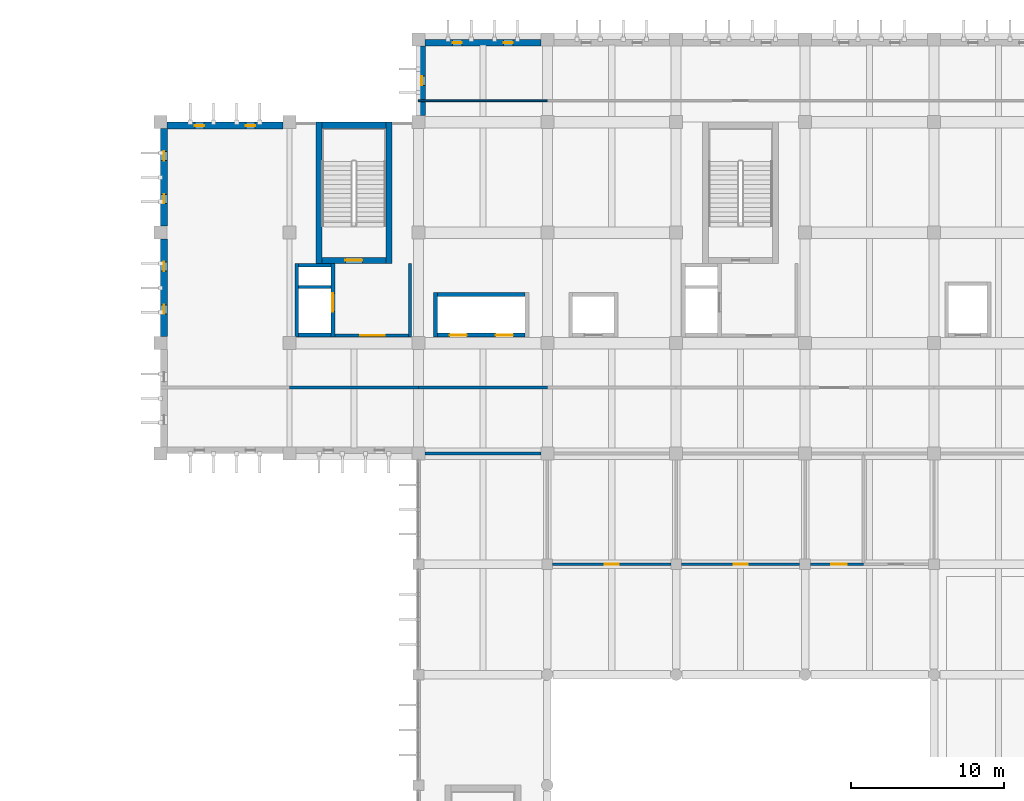
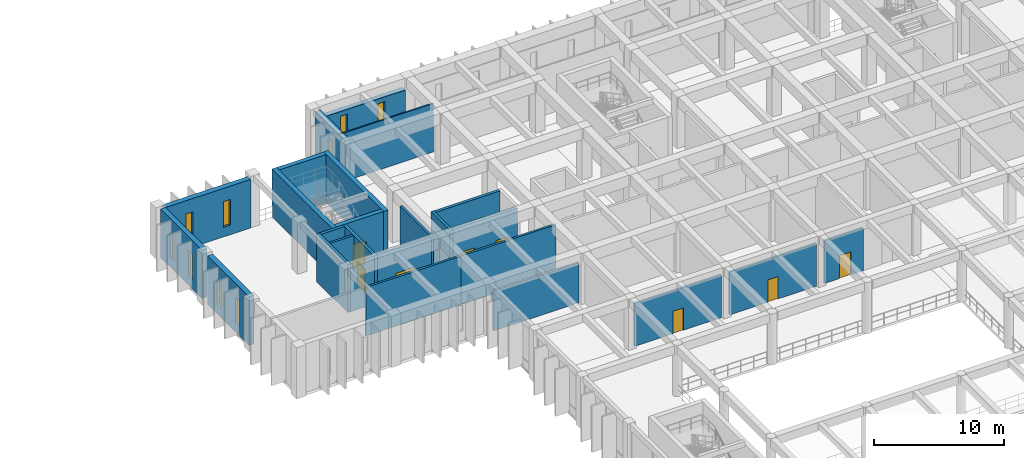
# One storey, part 34 of 51: 26 walls, 9 windows, 8 doors, 17 openings.
"""IFC4 building model written with IfcOpenShell, lengths in metres."""

from ifc_helpers import new_model, si_unit, direction, frame, frame_2d, origin, place, context, subcontext, project, spatial, rectangle, extrude, material, layer, layer_set, type_object, element, fill, save


model = new_model("IFC4")

# Units and contexts
model_context = context("Model", 3, precision=1e-05, world=origin(), true_north=direction((0.0, 1.0)))
body_context = subcontext(model_context, "Body", "Model", "MODEL_VIEW")
ifc_project = project(units=[si_unit("LENGTHUNIT", "METRE"), si_unit("AREAUNIT", "SQUARE_METRE"), si_unit("VOLUMEUNIT", "CUBIC_METRE"), si_unit("PLANEANGLEUNIT", "RADIAN"), si_unit("MASSUNIT", "GRAM", prefix="KILO")], contexts=[model_context])

# Site, building, storey
site_placement = place(None, origin())
site = spatial("IfcSite", under=ifc_project, at=site_placement, CompositionType="ELEMENT")
building_placement = place(site_placement, origin())
building = spatial("IfcBuilding", under=site, at=building_placement, Name="Kenerak Square Central Library", CompositionType="ELEMENT")
storey_placement = place(building_placement, frame((0.0, 0.0, 9.60009765625)))
storey = spatial("IfcBuildingStorey", under=building, at=storey_placement, Name="L02", CompositionType="ELEMENT", Elevation=9.60009765625)

# Walls
ifc_material_1 = material(Name="Concrete C40/50", Category="concrete")
ifc_layer_1 = layer(ifc_material_1, 0.39990234375)
ifc_layer_set_1 = layer_set([ifc_layer_1], Name="Concrete C40/50")
wall_type_1 = type_object("IfcWallType", Name="Core Shear Wall CW-400 C40/50", PredefinedType="SHEAR", material=ifc_layer_set_1)
for number, where, z_axis, x_axis, name in (
    (1, (60.320068359375, 101.199951171875, 0.0), (0.0, 0.0, 1.0), (0.0, 1.0, 0.0), "Core Wall CW-C1 L02 West"),
    (2, (64.8798828125, 110.39990234375, 0.0), (0.0, 0.0, 1.0), (0.0, -1.0, 0.0), "Core Wall CW-C1 L02 East"),
):
    element("IfcWall", number, at=place(storey_placement, frame(where, z_axis=z_axis, x_axis=x_axis)), inside=storey, type_object=wall_type_1, Name=name, PredefinedType="SHEAR", context=body_context, shape_type="SweptSolid", body=[
        extrude(rectangle(XDim=9.199951171875, YDim=0.39990234375, at=frame_2d((4.60009765625, 0.0))), origin(), (0.0, 0.0, 1.0), 4.5),
    ])

# Wall, opening, door
wall_1_placement = place(storey_placement, frame((64.679931640625, 101.39990234375, 0.0), z_axis=(0.0, 0.0, 1.0), x_axis=(-1.0, 0.0, 0.0)))
wall_1 = element("IfcWall", 3, at=wall_1_placement, inside=storey, type_object=wall_type_1, Name="Core Wall CW-C1 L02 South", PredefinedType="SHEAR", context=body_context, shape_type="SweptSolid", body=[
    extrude(rectangle(XDim=4.159912109375, YDim=0.39990234375, at=frame_2d((2.080078125, 0.0))), origin(), (0.0, 0.0, 1.0), 4.5),
])
opening_1_placement = place(wall_1_placement, frame((1.530029296875, 0.0, 0.0)))
opening_1 = element("IfcOpeningElement", 4, at=opening_1_placement, cuts=wall_1, Name="Opening D-ST1", PredefinedType="OPENING", context=body_context, shape_type="SweptSolid", body=[
    extrude(rectangle(XDim=1.10009765625, YDim=2.199951171875, at=frame_2d((0.550048828125, 1.10009765625))), frame((0.0, 0.2099609375, 0.0), z_axis=(0.0, -1.0, 0.0), x_axis=(1.0, 0.0, 0.0)), (0.0, 0.0, 1.0), 0.419921875),
])
ifc_material_2 = material(Name="Steel S355", Category="steel")
door_type_1 = type_object("IfcDoorType", Name="Protected Stair Fire Door FD-1100x2200 FD60S", OperationType="NOTDEFINED", PredefinedType="DOOR", material=ifc_material_2)
door_1_placement = place(opening_1_placement, frame((1.10009765625, 0.0, 0.0), z_axis=(0.0, 0.0, 1.0), x_axis=(-1.0, 0.0, 0.0)))
door_1 = element("IfcDoor", 5, at=door_1_placement, inside=storey, type_object=door_type_1, Name="Stair Door ST-01 L02", OperationType="SINGLE_SWING_LEFT", OverallHeight=2.199951171875, OverallWidth=1.10009765625, PredefinedType="DOOR", context=body_context, shape_type="SweptSolid", body=[
    extrude(rectangle(XDim=1.10009765625, YDim=2.199951171875, at=frame_2d((0.550048828125, 1.10009765625))), frame((0.0, 0.02490234375, 0.0), z_axis=(0.0, -1.0, 0.0), x_axis=(1.0, 0.0, 0.0)), (0.0, 0.0, 1.0), 0.050048828125),
])
fill(opening_1, door_1)

# Walls
wall_2_placement = place(storey_placement, frame((60.52001953125, 110.199951171875, 0.0), z_axis=(0.0, 0.0, 1.0), x_axis=(1.0, 0.0, 0.0)))
element("IfcWall", 6, at=wall_2_placement, inside=storey, type_object=wall_type_1, Name="Core Wall CW-C1 L02 North", PredefinedType="SHEAR", context=body_context, shape_type="SweptSolid", body=[
    extrude(rectangle(XDim=4.159912109375, YDim=0.39990234375, at=frame_2d((2.080078125, 0.0))), origin(), (0.0, 0.0, 1.0), 4.5),
])
ifc_material_3 = material(Name="Acoustic gypsum plasterboard on steel studs", Category="steel")
ifc_layer_2 = layer(ifc_material_3, 0.1201171875)
ifc_layer_set_2 = layer_set([ifc_layer_2], Name="Acoustic gypsum plasterboard on steel studs")
wall_type_2 = type_object("IfcWallType", Name="Lightweight Drywall Partition IW-120", PredefinedType="PARTITIONING", material=ifc_layer_set_2)
wall_3_placement = place(storey_placement, frame((75.199951171875, 111.800048828125, 0.0), z_axis=(0.0, 0.0, 1.0), x_axis=(-1.0, 0.0, 0.0)))
element("IfcWall", 7, at=wall_3_placement, inside=storey, type_object=wall_type_2, Name="Interior Wall IW-L02-07-S1-B5", PredefinedType="PARTITIONING", context=body_context, shape_type="SweptSolid", body=[
    extrude(rectangle(XDim=8.39990234375, YDim=0.1201171875, at=frame_2d((4.199951171875, 0.0))), origin(), (0.0, 0.0, 1.0), 4.5498046875),
])
ifc_layer_3 = layer(ifc_material_1, 0.199951171875)
ifc_layer_set_3 = layer_set([ifc_layer_3], Name="Concrete C40/50")
wall_type_3 = type_object("IfcWallType", Name="Lobby Compartment Wall LW-200 C40/50", PredefinedType="SOLIDWALL", material=ifc_layer_set_3)
wall_4_placement = place(storey_placement, frame((59.0, 99.64990234375, 0.0), z_axis=(0.0, 0.0, 1.0), x_axis=(1.0, 0.0, 0.0)))
element("IfcWall", 8, at=wall_4_placement, inside=storey, type_object=wall_type_3, Name="Riser Divider Wall C1 L02", PredefinedType="SOLIDWALL", context=body_context, shape_type="SweptSolid", body=[
    extrude(rectangle(XDim=2.10009765625, YDim=0.199951171875, at=frame_2d((1.050048828125, 0.0))), origin(), (0.0, 0.0, 1.0), 4.5),
])
wall_5_placement = place(storey_placement, frame((66.25, 101.199951171875, 0.0), z_axis=(0.0, 0.0, 1.0), x_axis=(0.0, -1.0, 0.0)))
element("IfcWall", 9, at=wall_5_placement, inside=storey, type_object=wall_type_3, Name="Firefighting Lobby East Wall C1 L02", PredefinedType="SOLIDWALL", context=body_context, shape_type="SweptSolid", body=[
    extrude(rectangle(XDim=4.800048828125, YDim=0.199951171875, at=frame_2d((2.39990234375, 0.0))), origin(), (0.0, 0.0, 1.0), 4.5),
])

# Wall, opening, door
wall_6_placement = place(storey_placement, frame((66.14990234375, 96.5, 0.0), z_axis=(0.0, 0.0, 1.0), x_axis=(-1.0, 0.0, 0.0)))
wall_6 = element("IfcWall", 10, at=wall_6_placement, inside=storey, type_object=wall_type_3, Name="Firefighting Lobby South Wall C1 L02", PredefinedType="SOLIDWALL", context=body_context, shape_type="SweptSolid", body=[
    extrude(rectangle(XDim=4.7998046875, YDim=0.199951171875, at=frame_2d((2.39990234375, 0.0))), origin(), (0.0, 0.0, 1.0), 4.5),
])
opening_2_placement = place(wall_6_placement, frame((1.550048828125, 0.0, 0.0)))
opening_2 = element("IfcOpeningElement", 11, at=opening_2_placement, cuts=wall_6, Name="Opening D-FFL", PredefinedType="OPENING", context=body_context, shape_type="SweptSolid", body=[
    extrude(rectangle(XDim=1.60009765625, YDim=2.199951171875, at=frame_2d((0.800048828125, 1.10009765625))), frame((0.0, 0.10986328125, 0.0), z_axis=(0.0, -1.0, 0.0), x_axis=(1.0, 0.0, 0.0)), (0.0, 0.0, 1.0), 0.219970703125),
])
door_type_2 = type_object("IfcDoorType", Name="Firefighting Lobby Double Door FD-1600x2200 FD60S", OperationType="NOTDEFINED", PredefinedType="DOOR", material=ifc_material_2)
door_2_placement = place(opening_2_placement, frame((1.60009765625, 0.0, 0.0), z_axis=(0.0, 0.0, 1.0), x_axis=(-1.0, 0.0, 0.0)))
door_2 = element("IfcDoor", 12, at=door_2_placement, inside=storey, type_object=door_type_2, Name="Firefighting Lobby Door C1 L02", OperationType="DOUBLE_DOOR_SINGLE_SWING", OverallHeight=2.199951171875, OverallWidth=1.60009765625, PredefinedType="DOOR", context=body_context, shape_type="SweptSolid", body=[
    extrude(rectangle(XDim=1.60009765625, YDim=2.199951171875, at=frame_2d((0.800048828125, 1.10009765625))), frame((0.0, 0.02490234375, 0.0), z_axis=(0.0, -1.0, 0.0), x_axis=(1.0, 0.0, 0.0)), (0.0, 0.0, 1.0), 0.050048828125),
])
fill(opening_2, door_2)

# Walls
ifc_material_4 = material(Name="Precast concrete C40/50", Category="concrete")
ifc_layer_4 = layer(ifc_material_4, 0.199951171875)
ifc_layer_set_4 = layer_set([ifc_layer_4], Name="Precast concrete C40/50")
wall_type_4 = type_object("IfcWallType", Name="Protected Corridor Fire Wall IW-200 C40/50", PredefinedType="PARTITIONING", material=ifc_layer_set_4)
wall_7_placement = place(storey_placement, frame((58.39990234375, 93.10009765625, 0.0), z_axis=(0.0, 0.0, 1.0), x_axis=(1.0, 0.0, 0.0)))
element("IfcWall", 13, at=wall_7_placement, inside=storey, type_object=wall_type_4, Name="Interior Wall IW-L02-06-N2-B2", PredefinedType="PARTITIONING", context=body_context, shape_type="SweptSolid", body=[
    extrude(rectangle(XDim=8.400146484375, YDim=0.199951171875, at=frame_2d((4.2001953125, 0.0))), origin(), (0.0, 0.0, 1.0), 4.5498046875),
])
wall_8_placement = place(storey_placement, frame((66.800048828125, 93.10009765625, 0.0), z_axis=(0.0, 0.0, 1.0), x_axis=(1.0, 0.0, 0.0)))
element("IfcWall", 14, at=wall_8_placement, inside=storey, type_object=wall_type_4, Name="Interior Wall IW-L02-06-N2-B3", PredefinedType="PARTITIONING", context=body_context, shape_type="SweptSolid", body=[
    extrude(rectangle(XDim=8.39990234375, YDim=0.199951171875, at=frame_2d((4.199951171875, 0.0))), origin(), (0.0, 0.0, 1.0), 4.5498046875),
])
wall_9_placement = place(storey_placement, frame((74.77490234375, 88.800048828125, 0.0), z_axis=(0.0, 0.0, 1.0), x_axis=(-1.0, 0.0, 0.0)))
element("IfcWall", 15, at=wall_9_placement, inside=storey, type_object=wall_type_4, Name="Interior Wall IW-L02-06-S1-B9", PredefinedType="PARTITIONING", context=body_context, shape_type="SweptSolid", body=[
    extrude(rectangle(XDim=7.5498046875, YDim=0.199951171875, at=frame_2d((3.77490234375, 0.0))), origin(), (0.0, 0.0, 1.0), 3.75),
])

# Wall, openings, windows
ifc_layer_5 = layer(ifc_material_1, 0.449951171875)
ifc_layer_set_5 = layer_set([ifc_layer_5], Name="Concrete C40/50")
wall_type_5 = type_object("IfcWallType", Name="Rare-Books Vault Exterior Wall VW-450 C40/50", PredefinedType="SOLIDWALL", material=ifc_layer_set_5)
wall_10_placement = place(storey_placement, frame((50.22509765625, 96.425048828125, 0.0), z_axis=(0.0, 0.0, 1.0), x_axis=(0.0, 1.0, 0.0)))
wall_10 = element("IfcWall", 16, at=wall_10_placement, inside=storey, type_object=wall_type_5, Name="Exterior Facade Wall L02 0172", PredefinedType="SOLIDWALL", context=body_context, shape_type="SweptSolid", body=[
    extrude(rectangle(XDim=6.349853515625, YDim=0.449951171875, at=frame_2d((3.1748046875, 0.0))), origin(), (0.0, 0.0, 1.0), 4.5498046875),
])
opening_3_placement = place(wall_10_placement, frame((1.47802734375, 0.0, 0.89990234375)))
opening_3 = element("IfcOpeningElement", 17, at=opening_3_placement, cuts=wall_10, Name="Opening W-01", PredefinedType="OPENING", context=body_context, shape_type="SweptSolid", body=[
    extrude(rectangle(XDim=0.60009765625, YDim=2.39990234375, at=frame_2d((0.300048828125, 1.199951171875))), frame((0.0, 0.23486328125, 0.0), z_axis=(0.0, -1.0, 0.0), x_axis=(1.0, 0.0, 0.0)), (0.0, 0.0, 1.0), 0.469970703125),
])
opening_4_placement = place(wall_10_placement, frame((4.27197265625, 0.0, 0.89990234375)))
opening_4 = element("IfcOpeningElement", 18, at=opening_4_placement, cuts=wall_10, Name="Opening W-01", PredefinedType="OPENING", context=body_context, shape_type="SweptSolid", body=[
    extrude(rectangle(XDim=0.60009765625, YDim=2.39990234375, at=frame_2d((0.300048828125, 1.199951171875))), frame((0.0, 0.23486328125, 0.0), z_axis=(0.0, -1.0, 0.0), x_axis=(1.0, 0.0, 0.0)), (0.0, 0.0, 1.0), 0.469970703125),
])
ifc_material_5 = material(Name="Solar-control low-E laminated double glazing", Category="glass")
window_type = type_object("IfcWindowType", Name="UV-Filtered Stack Slot Window W-01 600x2400", PartitioningType="SINGLE_PANEL", PredefinedType="WINDOW", material=ifc_material_5)
window_1_placement = place(opening_3_placement, origin())
window_1 = element("IfcWindow", 19, at=window_1_placement, inside=storey, type_object=window_type, Name="Window W-01 L02 0164", OverallHeight=2.39990234375, OverallWidth=0.60009765625, PartitioningType="SINGLE_PANEL", PredefinedType="WINDOW", context=body_context, shape_type="SweptSolid", body=[
    extrude(rectangle(XDim=0.60009765625, YDim=2.39990234375, at=frame_2d((0.300048828125, 1.199951171875))), frame((0.0, 0.030029296875, 0.0), z_axis=(0.0, -1.0, 0.0), x_axis=(1.0, 0.0, 0.0)), (0.0, 0.0, 1.0), 0.06005859375),
])
fill(opening_3, window_1)
window_2_placement = place(opening_4_placement, origin())
window_2 = element("IfcWindow", 20, at=window_2_placement, inside=storey, type_object=window_type, Name="Window W-01 L02 0165", OverallHeight=2.39990234375, OverallWidth=0.60009765625, PartitioningType="SINGLE_PANEL", PredefinedType="WINDOW", context=body_context, shape_type="SweptSolid", body=[
    extrude(rectangle(XDim=0.60009765625, YDim=2.39990234375, at=frame_2d((0.300048828125, 1.199951171875))), frame((0.0, 0.030029296875, 0.0), z_axis=(0.0, -1.0, 0.0), x_axis=(1.0, 0.0, 0.0)), (0.0, 0.0, 1.0), 0.06005859375),
])
fill(opening_4, window_2)

wall_11_placement = place(storey_placement, frame((50.22509765625, 103.625, 0.0), z_axis=(0.0, 0.0, 1.0), x_axis=(0.0, 1.0, 0.0)))
wall_11 = element("IfcWall", 21, at=wall_11_placement, inside=storey, type_object=wall_type_5, Name="Exterior Facade Wall L02 0173", PredefinedType="SOLIDWALL", context=body_context, shape_type="SweptSolid", body=[
    extrude(rectangle(XDim=6.35009765625, YDim=0.449951171875, at=frame_2d((3.175048828125, 0.0))), origin(), (0.0, 0.0, 1.0), 4.5498046875),
])
opening_5_placement = place(wall_11_placement, frame((1.47802734375, 0.0, 0.89990234375)))
opening_5 = element("IfcOpeningElement", 22, at=opening_5_placement, cuts=wall_11, Name="Opening W-01", PredefinedType="OPENING", context=body_context, shape_type="SweptSolid", body=[
    extrude(rectangle(XDim=0.60009765625, YDim=2.39990234375, at=frame_2d((0.300048828125, 1.199951171875))), frame((0.0, 0.23486328125, 0.0), z_axis=(0.0, -1.0, 0.0), x_axis=(1.0, 0.0, 0.0)), (0.0, 0.0, 1.0), 0.469970703125),
])
opening_6_placement = place(wall_11_placement, frame((4.27197265625, 0.0, 0.89990234375)))
opening_6 = element("IfcOpeningElement", 23, at=opening_6_placement, cuts=wall_11, Name="Opening W-01", PredefinedType="OPENING", context=body_context, shape_type="SweptSolid", body=[
    extrude(rectangle(XDim=0.60009765625, YDim=2.39990234375, at=frame_2d((0.300048828125, 1.199951171875))), frame((0.0, 0.23486328125, 0.0), z_axis=(0.0, -1.0, 0.0), x_axis=(1.0, 0.0, 0.0)), (0.0, 0.0, 1.0), 0.469970703125),
])
window_3_placement = place(opening_5_placement, origin())
window_3 = element("IfcWindow", 24, at=window_3_placement, inside=storey, type_object=window_type, Name="Window W-01 L02 0166", OverallHeight=2.39990234375, OverallWidth=0.60009765625, PartitioningType="SINGLE_PANEL", PredefinedType="WINDOW", context=body_context, shape_type="SweptSolid", body=[
    extrude(rectangle(XDim=0.60009765625, YDim=2.39990234375, at=frame_2d((0.300048828125, 1.199951171875))), frame((0.0, 0.030029296875, 0.0), z_axis=(0.0, -1.0, 0.0), x_axis=(1.0, 0.0, 0.0)), (0.0, 0.0, 1.0), 0.06005859375),
])
fill(opening_5, window_3)
window_4_placement = place(opening_6_placement, origin())
window_4 = element("IfcWindow", 25, at=window_4_placement, inside=storey, type_object=window_type, Name="Window W-01 L02 0167", OverallHeight=2.39990234375, OverallWidth=0.60009765625, PartitioningType="SINGLE_PANEL", PredefinedType="WINDOW", context=body_context, shape_type="SweptSolid", body=[
    extrude(rectangle(XDim=0.60009765625, YDim=2.39990234375, at=frame_2d((0.300048828125, 1.199951171875))), frame((0.0, 0.030029296875, 0.0), z_axis=(0.0, -1.0, 0.0), x_axis=(1.0, 0.0, 0.0)), (0.0, 0.0, 1.0), 0.06005859375),
])
fill(opening_6, window_4)

wall_12_placement = place(storey_placement, frame((50.425048828125, 110.175048828125, 0.0), z_axis=(0.0, 0.0, 1.0), x_axis=(1.0, 0.0, 0.0)))
wall_12 = element("IfcWall", 26, at=wall_12_placement, inside=storey, type_object=wall_type_5, Name="Exterior Facade Wall L02 0174", PredefinedType="SOLIDWALL", context=body_context, shape_type="SweptSolid", body=[
    extrude(rectangle(XDim=7.550048828125, YDim=0.449951171875, at=frame_2d((3.77490234375, 0.0))), origin(), (0.0, 0.0, 1.0), 4.5498046875),
])
opening_7_placement = place(wall_12_placement, frame((1.81396484375, 0.0, 0.89990234375)))
opening_7 = element("IfcOpeningElement", 27, at=opening_7_placement, cuts=wall_12, Name="Opening W-01", PredefinedType="OPENING", context=body_context, shape_type="SweptSolid", body=[
    extrude(rectangle(XDim=0.60009765625, YDim=2.39990234375, at=frame_2d((0.300048828125, 1.199951171875))), frame((0.0, 0.23486328125, 0.0), z_axis=(0.0, -1.0, 0.0), x_axis=(1.0, 0.0, 0.0)), (0.0, 0.0, 1.0), 0.469970703125),
])
opening_8_placement = place(wall_12_placement, frame((5.135986328125, 0.0, 0.89990234375)))
opening_8 = element("IfcOpeningElement", 28, at=opening_8_placement, cuts=wall_12, Name="Opening W-01", PredefinedType="OPENING", context=body_context, shape_type="SweptSolid", body=[
    extrude(rectangle(XDim=0.60009765625, YDim=2.39990234375, at=frame_2d((0.300048828125, 1.199951171875))), frame((0.0, 0.23486328125, 0.0), z_axis=(0.0, -1.0, 0.0), x_axis=(1.0, 0.0, 0.0)), (0.0, 0.0, 1.0), 0.469970703125),
])
window_5_placement = place(opening_7_placement, origin())
window_5 = element("IfcWindow", 29, at=window_5_placement, inside=storey, type_object=window_type, Name="Window W-01 L02 0168", OverallHeight=2.39990234375, OverallWidth=0.60009765625, PartitioningType="SINGLE_PANEL", PredefinedType="WINDOW", context=body_context, shape_type="SweptSolid", body=[
    extrude(rectangle(XDim=0.60009765625, YDim=2.39990234375, at=frame_2d((0.300048828125, 1.199951171875))), frame((0.0, 0.030029296875, 0.0), z_axis=(0.0, -1.0, 0.0), x_axis=(1.0, 0.0, 0.0)), (0.0, 0.0, 1.0), 0.06005859375),
])
fill(opening_7, window_5)
window_6_placement = place(opening_8_placement, origin())
window_6 = element("IfcWindow", 30, at=window_6_placement, inside=storey, type_object=window_type, Name="Window W-01 L02 0169", OverallHeight=2.39990234375, OverallWidth=0.60009765625, PartitioningType="SINGLE_PANEL", PredefinedType="WINDOW", context=body_context, shape_type="SweptSolid", body=[
    extrude(rectangle(XDim=0.60009765625, YDim=2.39990234375, at=frame_2d((0.300048828125, 1.199951171875))), frame((0.0, 0.030029296875, 0.0), z_axis=(0.0, -1.0, 0.0), x_axis=(1.0, 0.0, 0.0)), (0.0, 0.0, 1.0), 0.06005859375),
])
fill(opening_8, window_6)

# Wall, opening, window
wall_13_placement = place(storey_placement, frame((67.02490234375, 110.824951171875, 0.0), z_axis=(0.0, 0.0, 1.0), x_axis=(0.0, 1.0, 0.0)))
wall_13 = element("IfcWall", 31, at=wall_13_placement, inside=storey, type_object=wall_type_5, Name="Exterior Facade Wall L02 0175", PredefinedType="SOLIDWALL", context=body_context, shape_type="SweptSolid", body=[
    extrude(rectangle(XDim=4.550048828125, YDim=0.449951171875, at=frame_2d((2.27490234375, 0.0))), origin(), (0.0, 0.0, 1.0), 4.5498046875),
])
opening_9_placement = place(wall_13_placement, frame((1.97509765625, 0.0, 0.89990234375)))
opening_9 = element("IfcOpeningElement", 32, at=opening_9_placement, cuts=wall_13, Name="Opening W-01", PredefinedType="OPENING", context=body_context, shape_type="SweptSolid", body=[
    extrude(rectangle(XDim=0.60009765625, YDim=2.39990234375, at=frame_2d((0.300048828125, 1.199951171875))), frame((0.0, 0.23486328125, 0.0), z_axis=(0.0, -1.0, 0.0), x_axis=(1.0, 0.0, 0.0)), (0.0, 0.0, 1.0), 0.469970703125),
])
window_7_placement = place(opening_9_placement, origin())
window_7 = element("IfcWindow", 33, at=window_7_placement, inside=storey, type_object=window_type, Name="Window W-01 L02 0170", OverallHeight=2.39990234375, OverallWidth=0.60009765625, PartitioningType="SINGLE_PANEL", PredefinedType="WINDOW", context=body_context, shape_type="SweptSolid", body=[
    extrude(rectangle(XDim=0.60009765625, YDim=2.39990234375, at=frame_2d((0.300048828125, 1.199951171875))), frame((0.0, 0.030029296875, 0.0), z_axis=(0.0, -1.0, 0.0), x_axis=(1.0, 0.0, 0.0)), (0.0, 0.0, 1.0), 0.06005859375),
])
fill(opening_9, window_7)

# Wall, openings, windows
wall_14_placement = place(storey_placement, frame((67.22509765625, 115.574951171875, 0.0), z_axis=(0.0, 0.0, 1.0), x_axis=(1.0, 0.0, 0.0)))
wall_14 = element("IfcWall", 34, at=wall_14_placement, inside=storey, type_object=wall_type_5, Name="Exterior Facade Wall L02 0176", PredefinedType="SOLIDWALL", context=body_context, shape_type="SweptSolid", body=[
    extrude(rectangle(XDim=7.5498046875, YDim=0.449951171875, at=frame_2d((3.77490234375, 0.0))), origin(), (0.0, 0.0, 1.0), 3.75),
])
opening_10_placement = place(wall_14_placement, frame((1.81396484375, 0.0, 0.89990234375)))
opening_10 = element("IfcOpeningElement", 35, at=opening_10_placement, cuts=wall_14, Name="Opening W-01", PredefinedType="OPENING", context=body_context, shape_type="SweptSolid", body=[
    extrude(rectangle(XDim=0.60009765625, YDim=2.39990234375, at=frame_2d((0.300048828125, 1.199951171875))), frame((0.0, 0.23486328125, 0.0), z_axis=(0.0, -1.0, 0.0), x_axis=(1.0, 0.0, 0.0)), (0.0, 0.0, 1.0), 0.469970703125),
])
opening_11_placement = place(wall_14_placement, frame((5.135986328125, 0.0, 0.89990234375)))
opening_11 = element("IfcOpeningElement", 36, at=opening_11_placement, cuts=wall_14, Name="Opening W-01", PredefinedType="OPENING", context=body_context, shape_type="SweptSolid", body=[
    extrude(rectangle(XDim=0.60009765625, YDim=2.39990234375, at=frame_2d((0.300048828125, 1.199951171875))), frame((0.0, 0.23486328125, 0.0), z_axis=(0.0, -1.0, 0.0), x_axis=(1.0, 0.0, 0.0)), (0.0, 0.0, 1.0), 0.469970703125),
])
window_8_placement = place(opening_10_placement, origin())
window_8 = element("IfcWindow", 37, at=window_8_placement, inside=storey, type_object=window_type, Name="Window W-01 L02 0171", OverallHeight=2.39990234375, OverallWidth=0.60009765625, PartitioningType="SINGLE_PANEL", PredefinedType="WINDOW", context=body_context, shape_type="SweptSolid", body=[
    extrude(rectangle(XDim=0.60009765625, YDim=2.39990234375, at=frame_2d((0.300048828125, 1.199951171875))), frame((0.0, 0.030029296875, 0.0), z_axis=(0.0, -1.0, 0.0), x_axis=(1.0, 0.0, 0.0)), (0.0, 0.0, 1.0), 0.06005859375),
])
fill(opening_10, window_8)
window_9_placement = place(opening_11_placement, origin())
window_9 = element("IfcWindow", 38, at=window_9_placement, inside=storey, type_object=window_type, Name="Window W-01 L02 0172", OverallHeight=2.39990234375, OverallWidth=0.60009765625, PartitioningType="SINGLE_PANEL", PredefinedType="WINDOW", context=body_context, shape_type="SweptSolid", body=[
    extrude(rectangle(XDim=0.60009765625, YDim=2.39990234375, at=frame_2d((0.300048828125, 1.199951171875))), frame((0.0, 0.030029296875, 0.0), z_axis=(0.0, -1.0, 0.0), x_axis=(1.0, 0.0, 0.0)), (0.0, 0.0, 1.0), 0.06005859375),
])
fill(opening_11, window_9)

# Wall, opening, door
ifc_layer_6 = layer(ifc_material_4, 0.175048828125)
ifc_layer_set_6 = layer_set([ifc_layer_6], Name="Precast concrete C40/50")
wall_type_6 = type_object("IfcWallType", Name="Sanitary Plumbing Chase Wall IW-175 C40/50", PredefinedType="PLUMBINGWALL", material=ifc_layer_set_6)
wall_15_placement = place(storey_placement, frame((83.25, 81.60009765625, 0.0), z_axis=(0.0, 0.0, 1.0), x_axis=(-1.0, 0.0, 0.0)))
wall_15 = element("IfcWall", 39, at=wall_15_placement, inside=storey, type_object=wall_type_6, Name="Interior Wall IW-L02-08-S1-B1", PredefinedType="PLUMBINGWALL", context=body_context, shape_type="SweptSolid", body=[
    extrude(rectangle(XDim=7.699951171875, YDim=0.175048828125, at=frame_2d((3.85009765625, 0.0))), origin(), (0.0, 0.0, 1.0), 4.0),
])
opening_12_placement = place(wall_15_placement, frame((3.39990234375, 0.0, 0.0)))
opening_12 = element("IfcOpeningElement", 40, at=opening_12_placement, cuts=wall_15, Name="Opening ID-01", PredefinedType="OPENING", context=body_context, shape_type="SweptSolid", body=[
    extrude(rectangle(XDim=0.89990234375, YDim=2.10009765625, at=frame_2d((0.449951171875, 1.050048828125))), frame((0.0, 0.097412109375, 0.0), z_axis=(0.0, -1.0, 0.0), x_axis=(1.0, 0.0, 0.0)), (0.0, 0.0, 1.0), 0.195068359375),
])
ifc_material_6 = material(Name="Chengal hardwood timber SG1", Category="wood")
door_type_3 = type_object("IfcDoorType", Name="Restroom Single Door ID-900x2100", OperationType="NOTDEFINED", PredefinedType="DOOR", material=ifc_material_6)
door_3_placement = place(opening_12_placement, origin())
door_3 = element("IfcDoor", 41, at=door_3_placement, inside=storey, type_object=door_type_3, Name="Level 02 Male Restroom Door", OperationType="SINGLE_SWING_RIGHT", OverallHeight=2.10009765625, OverallWidth=0.89990234375, PredefinedType="DOOR", context=body_context, shape_type="SweptSolid", body=[
    extrude(rectangle(XDim=0.89990234375, YDim=2.10009765625, at=frame_2d((0.449951171875, 1.050048828125))), frame((0.0, 0.02490234375, 0.0), z_axis=(0.0, -1.0, 0.0), x_axis=(1.0, 0.0, 0.0)), (0.0, 0.0, 1.0), 0.050048828125),
])
fill(opening_12, door_3)

wall_16_placement = place(storey_placement, frame((91.64990234375, 81.60009765625, 0.0), z_axis=(0.0, 0.0, 1.0), x_axis=(-1.0, 0.0, 0.0)))
wall_16 = element("IfcWall", 42, at=wall_16_placement, inside=storey, type_object=wall_type_6, Name="Interior Wall IW-L02-09-S1-B1", PredefinedType="PLUMBINGWALL", context=body_context, shape_type="SweptSolid", body=[
    extrude(rectangle(XDim=7.699951171875, YDim=0.175048828125, at=frame_2d((3.85009765625, 0.0))), origin(), (0.0, 0.0, 1.0), 4.0),
])
opening_13_placement = place(wall_16_placement, frame((3.39990234375, 0.0, 0.0)))
opening_13 = element("IfcOpeningElement", 43, at=opening_13_placement, cuts=wall_16, Name="Opening ID-01", PredefinedType="OPENING", context=body_context, shape_type="SweptSolid", body=[
    extrude(rectangle(XDim=0.89990234375, YDim=2.10009765625, at=frame_2d((0.449951171875, 1.050048828125))), frame((0.0, 0.097412109375, 0.0), z_axis=(0.0, -1.0, 0.0), x_axis=(1.0, 0.0, 0.0)), (0.0, 0.0, 1.0), 0.195068359375),
])
door_4_placement = place(opening_13_placement, origin())
door_4 = element("IfcDoor", 44, at=door_4_placement, inside=storey, type_object=door_type_3, Name="Level 02 Female Restroom Door", OperationType="SINGLE_SWING_LEFT", OverallHeight=2.10009765625, OverallWidth=0.89990234375, PredefinedType="DOOR", context=body_context, shape_type="SweptSolid", body=[
    extrude(rectangle(XDim=0.89990234375, YDim=2.10009765625, at=frame_2d((0.449951171875, 1.050048828125))), frame((0.0, 0.02490234375, 0.0), z_axis=(0.0, -1.0, 0.0), x_axis=(1.0, 0.0, 0.0)), (0.0, 0.0, 1.0), 0.050048828125),
])
fill(opening_13, door_4)

wall_17_placement = place(storey_placement, frame((95.800048828125, 81.60009765625, 0.0), z_axis=(0.0, 0.0, 1.0), x_axis=(-1.0, 0.0, 0.0)))
wall_17 = element("IfcWall", 45, at=wall_17_placement, inside=storey, type_object=wall_type_6, Name="Interior Wall IW-L02-10-S1-B1", PredefinedType="PLUMBINGWALL", context=body_context, shape_type="SweptSolid", body=[
    extrude(rectangle(XDim=3.449951171875, YDim=0.175048828125, at=frame_2d((1.72509765625, 0.0))), origin(), (0.0, 0.0, 1.0), 4.0),
])
opening_14_placement = place(wall_17_placement, frame((1.10009765625, 0.0, 0.0)))
opening_14 = element("IfcOpeningElement", 46, at=opening_14_placement, cuts=wall_17, Name="Opening ID-03", PredefinedType="OPENING", context=body_context, shape_type="SweptSolid", body=[
    extrude(rectangle(XDim=1.0, YDim=2.14990234375, at=frame_2d((0.5, 1.074951171875))), frame((0.0, 0.097412109375, 0.0), z_axis=(0.0, -1.0, 0.0), x_axis=(1.0, 0.0, 0.0)), (0.0, 0.0, 1.0), 0.195068359375),
])
door_type_4 = type_object("IfcDoorType", Name="Accessible OKU WC Door ID-1000x2150", OperationType="NOTDEFINED", PredefinedType="DOOR", material=ifc_material_6)
door_5_placement = place(opening_14_placement, origin())
door_5 = element("IfcDoor", 47, at=door_5_placement, inside=storey, type_object=door_type_4, Name="Level 02 Accessible WC Door", OperationType="SINGLE_SWING_RIGHT", OverallHeight=2.14990234375, OverallWidth=1.0, PredefinedType="DOOR", context=body_context, shape_type="SweptSolid", body=[
    extrude(rectangle(XDim=1.0, YDim=2.14990234375, at=frame_2d((0.5, 1.074951171875))), frame((0.0, 0.02490234375, 0.0), z_axis=(0.0, -1.0, 0.0), x_axis=(1.0, 0.0, 0.0)), (0.0, 0.0, 1.0), 0.050048828125),
])
fill(opening_14, door_5)

# Wall
ifc_layer_7 = layer(ifc_material_1, 0.25)
ifc_layer_set_7 = layer_set([ifc_layer_7], Name="Concrete C40/50")
wall_type_7 = type_object("IfcWallType", Name="Shaft Enclosure Wall SW-250 C40/50", PredefinedType="SOLIDWALL", material=ifc_layer_set_7)
wall_18_placement = place(storey_placement, frame((58.875, 96.39990234375, 0.0), z_axis=(0.0, 0.0, 1.0), x_axis=(0.0, 1.0, 0.0)))
element("IfcWall", 48, at=wall_18_placement, inside=storey, type_object=wall_type_7, Name="Core Wall FLW-C1 L02 West", PredefinedType="SOLIDWALL", context=body_context, shape_type="SweptSolid", body=[
    extrude(rectangle(XDim=4.800048828125, YDim=0.25, at=frame_2d((2.39990234375, 0.0))), origin(), (0.0, 0.0, 1.0), 4.5),
])

# Wall, opening, door
wall_19_placement = place(storey_placement, frame((61.22509765625, 101.199951171875, 0.0), z_axis=(0.0, 0.0, 1.0), x_axis=(0.0, -1.0, 0.0)))
wall_19 = element("IfcWall", 49, at=wall_19_placement, inside=storey, type_object=wall_type_7, Name="Core Wall FLW-C1 L02 East", PredefinedType="SOLIDWALL", context=body_context, shape_type="SweptSolid", body=[
    extrude(rectangle(XDim=4.800048828125, YDim=0.25, at=frame_2d((2.39990234375, 0.0))), origin(), (0.0, 0.0, 1.0), 4.5),
])
opening_15_placement = place(wall_19_placement, frame((1.949951171875, 0.0, 0.0)))
opening_15 = element("IfcOpeningElement", 50, at=opening_15_placement, cuts=wall_19, Name="Opening LD-FL", PredefinedType="OPENING", context=body_context, shape_type="SweptSolid", body=[
    extrude(rectangle(XDim=1.199951171875, YDim=2.199951171875, at=frame_2d((0.60009765625, 1.10009765625))), frame((0.0, 0.135009765625, 0.0), z_axis=(0.0, -1.0, 0.0), x_axis=(1.0, 0.0, 0.0)), (0.0, 0.0, 1.0), 0.27001953125),
])
door_type_5 = type_object("IfcDoorType", Name="Firefighting Lift Sliding Landing Door LD-1200x2200 FD120S", OperationType="NOTDEFINED", PredefinedType="DOOR", material=ifc_material_2)
door_6_placement = place(opening_15_placement, origin())
door_6 = element("IfcDoor", 51, at=door_6_placement, inside=storey, type_object=door_type_5, Name="Firefighting Lift Landing Door FL-01 L02", OperationType="SLIDING_TO_LEFT", OverallHeight=2.199951171875, OverallWidth=1.199951171875, PredefinedType="DOOR", context=body_context, shape_type="SweptSolid", body=[
    extrude(rectangle(XDim=1.199951171875, YDim=2.199951171875, at=frame_2d((0.60009765625, 1.10009765625))), frame((0.0, 0.02490234375, 0.0), z_axis=(0.0, -1.0, 0.0), x_axis=(1.0, 0.0, 0.0)), (0.0, 0.0, 1.0), 0.050048828125),
])
fill(opening_15, door_6)

# Walls
for number, where, z_axis, x_axis, name in (
    (52, (61.10009765625, 96.52490234375, 0.0), (0.0, 0.0, 1.0), (-1.0, 0.0, 0.0), "Core Wall FLW-C1 L02 South"),
    (53, (59.0, 101.074951171875, 0.0), (0.0, 0.0, 1.0), (1.0, 0.0, 0.0), "Core Wall FLW-C1 L02 North"),
):
    element("IfcWall", number, at=place(storey_placement, frame(where, z_axis=z_axis, x_axis=x_axis)), inside=storey, type_object=wall_type_7, Name=name, PredefinedType="SOLIDWALL", context=body_context, shape_type="SweptSolid", body=[
        extrude(rectangle(XDim=2.10009765625, YDim=0.25, at=frame_2d((1.050048828125, 0.0))), origin(), (0.0, 0.0, 1.0), 4.5),
    ])
wall_20_placement = place(storey_placement, frame((67.925048828125, 96.39990234375, 0.0), z_axis=(0.0, 0.0, 1.0), x_axis=(0.0, 1.0, 0.0)))
element("IfcWall", 54, at=wall_20_placement, inside=storey, type_object=wall_type_7, Name="Core Wall PLBANKW L02 West", PredefinedType="SOLIDWALL", context=body_context, shape_type="SweptSolid", body=[
    extrude(rectangle(XDim=2.900146484375, YDim=0.25, at=frame_2d((1.4501953125, 0.0))), origin(), (0.0, 0.0, 1.0), 4.5498046875),
])

# Wall, openings, doors
wall_21_placement = place(storey_placement, frame((73.75, 96.52490234375, 0.0), z_axis=(0.0, 0.0, 1.0), x_axis=(-1.0, 0.0, 0.0)))
wall_21 = element("IfcWall", 55, at=wall_21_placement, inside=storey, type_object=wall_type_7, Name="Core Wall PLBANKW L02 South", PredefinedType="SOLIDWALL", context=body_context, shape_type="SweptSolid", body=[
    extrude(rectangle(XDim=5.699951171875, YDim=0.25, at=frame_2d((2.85009765625, 0.0))), origin(), (0.0, 0.0, 1.0), 4.5498046875),
])
opening_16_placement = place(wall_21_placement, frame((3.800048828125, 0.0, 0.0)))
opening_16 = element("IfcOpeningElement", 56, at=opening_16_placement, cuts=wall_21, Name="Opening LD-PL", PredefinedType="OPENING", context=body_context, shape_type="SweptSolid", body=[
    extrude(rectangle(XDim=1.10009765625, YDim=2.14990234375, at=frame_2d((0.550048828125, 1.074951171875))), frame((0.0, 0.135009765625, 0.0), z_axis=(0.0, -1.0, 0.0), x_axis=(1.0, 0.0, 0.0)), (0.0, 0.0, 1.0), 0.27001953125),
])
opening_17_placement = place(wall_21_placement, frame((0.800048828125, 0.0, 0.0)))
opening_17 = element("IfcOpeningElement", 57, at=opening_17_placement, cuts=wall_21, Name="Opening LD-PL", PredefinedType="OPENING", context=body_context, shape_type="SweptSolid", body=[
    extrude(rectangle(XDim=1.10009765625, YDim=2.14990234375, at=frame_2d((0.550048828125, 1.074951171875))), frame((0.0, 0.135009765625, 0.0), z_axis=(0.0, -1.0, 0.0), x_axis=(1.0, 0.0, 0.0)), (0.0, 0.0, 1.0), 0.27001953125),
])
door_type_6 = type_object("IfcDoorType", Name="Passenger Lift Sliding Landing Door LD-1100x2150", OperationType="NOTDEFINED", PredefinedType="DOOR", material=ifc_material_2)
door_7_placement = place(opening_16_placement, origin())
door_7 = element("IfcDoor", 58, at=door_7_placement, inside=storey, type_object=door_type_6, Name="Passenger Lift Landing Door PL-01 L02", OperationType="SLIDING_TO_RIGHT", OverallHeight=2.14990234375, OverallWidth=1.10009765625, PredefinedType="DOOR", context=body_context, shape_type="SweptSolid", body=[
    extrude(rectangle(XDim=1.10009765625, YDim=2.14990234375, at=frame_2d((0.550048828125, 1.074951171875))), frame((0.0, 0.02490234375, 0.0), z_axis=(0.0, -1.0, 0.0), x_axis=(1.0, 0.0, 0.0)), (0.0, 0.0, 1.0), 0.050048828125),
])
fill(opening_16, door_7)
door_8_placement = place(opening_17_placement, origin())
door_8 = element("IfcDoor", 59, at=door_8_placement, inside=storey, type_object=door_type_6, Name="Passenger Lift Landing Door PL-02 L02", OperationType="SLIDING_TO_RIGHT", OverallHeight=2.14990234375, OverallWidth=1.10009765625, PredefinedType="DOOR", context=body_context, shape_type="SweptSolid", body=[
    extrude(rectangle(XDim=1.10009765625, YDim=2.14990234375, at=frame_2d((0.550048828125, 1.074951171875))), frame((0.0, 0.02490234375, 0.0), z_axis=(0.0, -1.0, 0.0), x_axis=(1.0, 0.0, 0.0)), (0.0, 0.0, 1.0), 0.050048828125),
])
fill(opening_17, door_8)

# Wall
wall_22_placement = place(storey_placement, frame((68.050048828125, 99.175048828125, 0.0), z_axis=(0.0, 0.0, 1.0), x_axis=(1.0, 0.0, 0.0)))
element("IfcWall", 60, at=wall_22_placement, inside=storey, type_object=wall_type_7, Name="Core Wall PLBANKW L02 North", PredefinedType="SOLIDWALL", context=body_context, shape_type="SweptSolid", body=[
    extrude(rectangle(XDim=5.699951171875, YDim=0.25, at=frame_2d((2.85009765625, 0.0))), origin(), (0.0, 0.0, 1.0), 4.5498046875),
])

save(model, "model.ifc")
